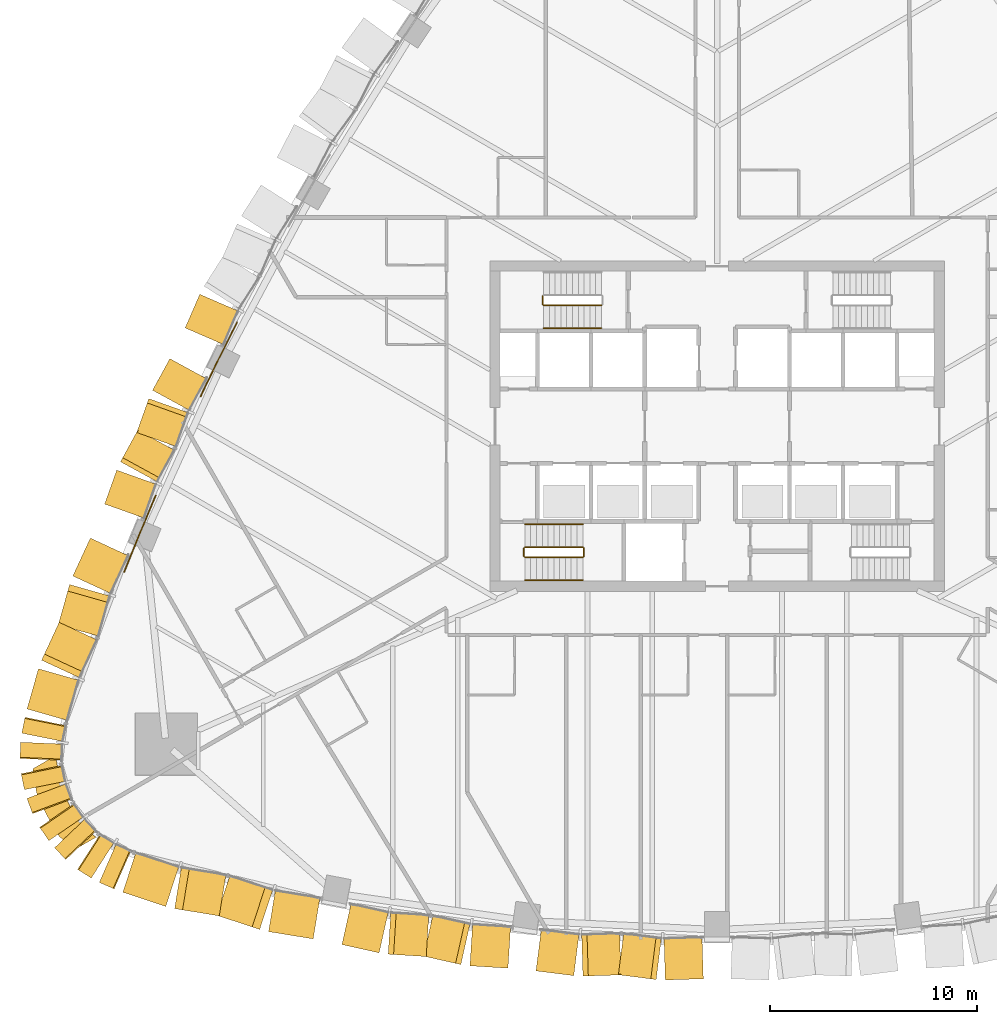
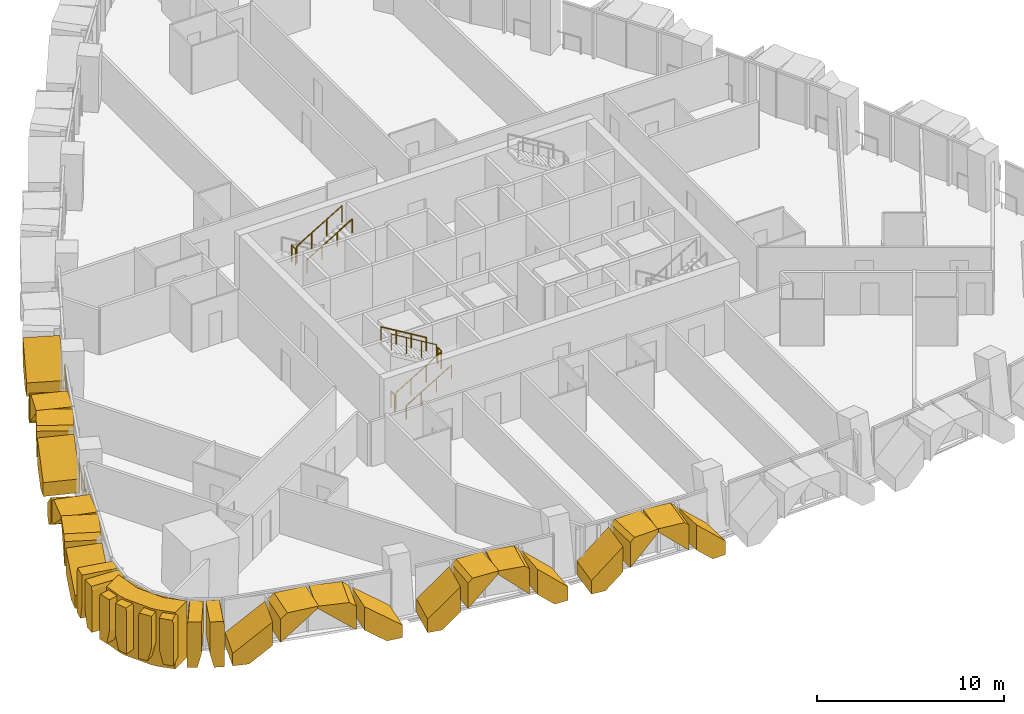
# One storey, part 18 of 22: 30 coverings, 11 railings.
"""IFC4 building model written with IfcOpenShell, lengths in metres."""

import ifcopenshell
import ifcopenshell.guid

model = None  # the IFC model being written
_history = None  # IfcOwnerHistory: only IFC2X3 demands one
_inside = {}  # id of a spatial element -> (the spatial element, [elements in it])
_under = {}  # id of a project, library or spatial element -> (it, [spatial elements below it])
_declared = {}  # id of a project -> (the project, [libraries it declares])
_typed = {}  # id of a type object -> (the type object, [elements of that type])
_made_of = {}  # id of a material, layer set ... -> (it, [elements and type objects made of it])


def new_model(schema):
    """Start an empty IFC model of exactly this schema.

    Asked for "IFC4X3", IfcOpenShell would pick the latest addendum, in which some entities
    have other attributes; the version numbers below select the first issue.
    IFC2X3 requires an IfcOwnerHistory on every rooted entity: one is made here for all.
    """
    global model, _history
    if schema == "IFC4X3":
        model = ifcopenshell.file(schema_version=(4, 3, 0, 0))
    else:
        model = ifcopenshell.file(schema=schema)
    _inside.clear()
    _under.clear()
    _declared.clear()
    _typed.clear()
    _made_of.clear()
    _history = None
    if model.schema == "IFC2X3":
        org = make("IfcOrganization", Name="unknown")
        user = make(
            "IfcPersonAndOrganization",
            ThePerson=make("IfcPerson", FamilyName="unknown"),
            TheOrganization=org,
        )
        app = make(
            "IfcApplication",
            ApplicationDeveloper=org,
            Version="unknown",
            ApplicationFullName="unknown",
            ApplicationIdentifier="unknown",
        )
        _history = make(
            "IfcOwnerHistory",
            OwningUser=user,
            OwningApplication=app,
            ChangeAction="ADDED",
            CreationDate=0,
        )
    return model


def make(cls, **values):
    """One entity of the class cls with the attributes given. An attribute that is None is left unset."""
    return model.create_entity(
        cls, **{name: value for name, value in values.items() if value is not None}
    )


def rooted(cls, **values):
    """An entity with a GlobalId (a new one), such as an element, a storey or a relation."""
    return make(cls, GlobalId=ifcopenshell.guid.new(), OwnerHistory=_history, **values)


def si_unit(unit_type, name, prefix=None):
    """IfcSIUnit, for example si_unit("LENGTHUNIT", "METRE", prefix="MILLI")."""
    return make("IfcSIUnit", UnitType=unit_type, Prefix=prefix, Name=name)


def assignment(units):
    """IfcUnitAssignment: the units of a project."""
    return None if units is None else make("IfcUnitAssignment", Units=units)


def point(xyz):
    """IfcCartesianPoint."""
    return None if xyz is None else make("IfcCartesianPoint", Coordinates=xyz)


def direction(xyz):
    """IfcDirection."""
    return None if xyz is None else make("IfcDirection", DirectionRatios=xyz)


def frame(location, z_axis=None, x_axis=None):
    """IfcAxis2Placement3D, a coordinate frame: its origin and axes. An axis left out is left unset."""
    return make(
        "IfcAxis2Placement3D",
        Location=point(location),
        Axis=direction(z_axis),
        RefDirection=direction(x_axis),
    )


def frame_2d(location, x_axis=None):
    """IfcAxis2Placement2D, a coordinate frame in the plane: its origin and x axis."""
    return make(
        "IfcAxis2Placement2D", Location=point(location), RefDirection=direction(x_axis)
    )


def origin():
    """The frame at (0, 0, 0) with its axes left unset."""
    return frame((0.0, 0.0, 0.0))


def origin_2d():
    """The frame at (0, 0) in the plane with its x axis left unset."""
    return frame_2d((0.0, 0.0))


def place(relative_to, where):
    """IfcLocalPlacement: puts the frame where relative to a parent placement (None: the world)."""
    return make(
        "IfcLocalPlacement", PlacementRelTo=relative_to, RelativePlacement=where
    )


def context(
    kind, dimensions, precision=None, world=None, true_north=None, identifier=None
):
    """IfcGeometricRepresentationContext, for example the 3D "Model" context."""
    return make(
        "IfcGeometricRepresentationContext",
        ContextIdentifier=identifier,
        ContextType=kind,
        CoordinateSpaceDimension=dimensions,
        Precision=precision,
        WorldCoordinateSystem=world,
        TrueNorth=true_north,
    )


def subcontext(parent, identifier, kind, view, scale=None):
    """IfcGeometricRepresentationSubContext, for example "Body" below "Model"."""
    return make(
        "IfcGeometricRepresentationSubContext",
        ContextIdentifier=identifier,
        ContextType=kind,
        ParentContext=parent,
        TargetScale=scale,
        TargetView=view,
    )


def project(units=None, contexts=None):
    """IfcProject with its units and contexts."""
    return rooted(
        "IfcProject",
        Name="project",
        RepresentationContexts=contexts,
        UnitsInContext=assignment(units),
    )


def spatial(cls, under=None, at=None, **own):
    """A site, building, storey or space (cls), placed at a placement, below another one or the project."""
    s = rooted(cls, ObjectPlacement=at, **own)
    if under is not None:
        _under.setdefault(under.id(), (under, []))[1].append(s)
    return s


def polyline(points):
    """IfcPolyline through the points."""
    return make("IfcPolyline", Points=[point(p) for p in points])


def profile(cls, at=None, kind="AREA", **sizes):
    """A parametric profile (cls). Its sizes go by their IFC names, for example OverallWidth=200.0."""
    return make(cls, ProfileType=kind, Position=at, **sizes)


def circle(**sizes):
    """IfcCircleProfileDef."""
    return profile("IfcCircleProfileDef", **sizes)


def outline(outer, holes=None, kind="AREA"):
    """IfcArbitraryClosedProfileDef: a profile drawn as a closed curve; with holes, ...WithVoids."""
    if holes is None:
        return make("IfcArbitraryClosedProfileDef", ProfileType=kind, OuterCurve=outer)
    return make(
        "IfcArbitraryProfileDefWithVoids",
        ProfileType=kind,
        OuterCurve=outer,
        InnerCurves=holes,
    )


def extrude(swept, where, along, depth):
    """IfcExtrudedAreaSolid: the profile swept, set in the frame where, extruded along a direction by depth."""
    return make(
        "IfcExtrudedAreaSolid",
        SweptArea=swept,
        Position=where,
        ExtrudedDirection=direction(along),
        Depth=depth,
    )


def shape(context_of_items, identifier, shape_type, items):
    """IfcShapeRepresentation: the items that make up one representation, for example the "Body"."""
    return make(
        "IfcShapeRepresentation",
        ContextOfItems=context_of_items,
        RepresentationIdentifier=identifier,
        RepresentationType=shape_type,
        Items=items,
    )


def material(Name=None, Category=None):
    """IfcMaterial."""
    return make("IfcMaterial", Name=Name, Category=Category)


def layer(
    of_material, thickness, ventilated=None, Name=None, Category=None, Priority=None
):
    """IfcMaterialLayer: one layer of a wall or slab, of a material (None: an air gap)."""
    return make(
        "IfcMaterialLayer",
        Material=of_material,
        LayerThickness=thickness,
        IsVentilated=ventilated,
        Name=Name,
        Category=Category,
        Priority=Priority,
    )


def layer_set(layers, Name=None):
    """IfcMaterialLayerSet."""
    return make("IfcMaterialLayerSet", MaterialLayers=layers, LayerSetName=Name)


def made_of(thing, what):
    """Note that an element or type object is made of a material, layer set ...; save() writes the relation."""
    if what is not None:
        _made_of.setdefault(what.id(), (what, []))[1].append(thing)
    return thing


def type_object(cls, material=None, **own):
    """A type object (cls), such as IfcWallType, which elements share."""
    return made_of(rooted(cls, **own), material)


def element(
    cls,
    number,
    at=None,
    inside=None,
    cuts=None,
    type_object=None,
    material=None,
    context=None,
    identifier="Body",
    shape_type=None,
    held_by="IfcProductDefinitionShape",
    body=None,
    shapes=None,
    **own,
):
    """One element of the class cls, such as IfcWall. Its Tag is "e" and its number.

    at: its placement. inside: the storey or other place that contains it. cuts: it is an
    opening in that element (IfcRelVoidsElement). A single representation is given by context,
    identifier, shape_type and body (its items); several are given by shapes. held_by: the class
    of the entity that holds the representations. save() writes the other relations.
    """
    e = rooted(cls, Tag="e%d" % number, ObjectPlacement=at, **own)
    if body is not None:
        shapes = [shape(context, identifier, shape_type, body)]
    if shapes is not None:
        e.Representation = make(held_by, Representations=shapes)
    if inside is not None:
        _inside.setdefault(inside.id(), (inside, []))[1].append(e)
    if cuts is not None:
        rooted(
            "IfcRelVoidsElement", RelatingBuildingElement=cuts, RelatedOpeningElement=e
        )
    if type_object is not None:
        _typed.setdefault(type_object.id(), (type_object, []))[1].append(e)
    return made_of(e, material)


def aggregate(whole, parts):
    """IfcRelAggregates: a whole, such as a stair, and the parts it consists of."""
    return rooted("IfcRelAggregates", RelatingObject=whole, RelatedObjects=parts)


def save(model, path):
    """Write the relations noted so far, then the file.

    IfcRelAggregates (storeys below a building ...), IfcRelContainedInSpatialStructure (elements
    in a storey), IfcRelDefinesByType, IfcRelAssociatesMaterial and IfcRelDeclares: one each for
    every whole, place, type object, material and project.
    """
    for whole, parts in _under.values():
        aggregate(whole, parts)
    for where, things in _inside.values():
        rooted(
            "IfcRelContainedInSpatialStructure",
            RelatedElements=things,
            RelatingStructure=where,
        )
    for kind, things in _typed.values():
        rooted("IfcRelDefinesByType", RelatedObjects=things, RelatingType=kind)
    for what, things in _made_of.values():
        rooted("IfcRelAssociatesMaterial", RelatedObjects=things, RelatingMaterial=what)
    for by, libraries in _declared.values():
        rooted("IfcRelDeclares", RelatingContext=by, RelatedDefinitions=libraries)
    model.write(path)


model = new_model("IFC4")

# Units and contexts
model_context = context("Model", 3, precision=1e-05, world=origin(), true_north=direction((0.0, 1.0)))
body_context = subcontext(model_context, "Body", "Model", "MODEL_VIEW")
ifc_project = project(units=[si_unit("LENGTHUNIT", "METRE"), si_unit("AREAUNIT", "SQUARE_METRE"), si_unit("VOLUMEUNIT", "CUBIC_METRE"), si_unit("PLANEANGLEUNIT", "RADIAN"), si_unit("MASSUNIT", "GRAM", prefix="KILO")], contexts=[model_context])

# Site, building, storey
site_placement = place(None, origin())
site = spatial("IfcSite", under=ifc_project, at=site_placement, CompositionType="ELEMENT")
building_placement = place(site_placement, origin())
building = spatial("IfcBuilding", under=site, at=building_placement, Name="Sierra Prisma Convention Tower", CompositionType="ELEMENT")
storey_placement = place(building_placement, frame((0.0, 0.0, 66.5)))
storey = spatial("IfcBuildingStorey", under=building, at=storey_placement, Name="L12", CompositionType="ELEMENT", Elevation=66.5)

# Coverings
ifc_material_1 = material(Name="Aluminium composite bronze anodised", Category="aluminium")
ifc_layer_1 = layer(ifc_material_1, 1.199951171875)
ifc_layer_set_1 = layer_set([ifc_layer_1], Name="Bronze corner pier")
covering_type_1 = type_object("IfcCoveringType", Name="Bronze corner pier", PredefinedType="CLADDING", material=ifc_layer_set_1)
covering_1_placement = place(storey_placement, frame((0.0, 0.0, -0.60009765625)))
element("IfcCovering", 1, at=covering_1_placement, inside=storey, type_object=covering_type_1, Name="Corner pier SW L12.1", PredefinedType="CLADDING", context=body_context, shape_type="SweptSolid", body=[
    extrude(outline(polyline([(-31.834716796875, -19.85302734375), (-32.062744140625, -19.5458984375), (-32.822021484375, -18.0830078125), (-32.94189453125, -17.719970703125), (-33.123779296875, -16.583740234375), (-32.011474609375, -15.94140625), (-31.757080078125, -17.5302734375), (-30.997802734375, -18.9931640625), (-30.066650390625, -19.8994140625), (-31.146484375, -20.522705078125), (-31.834716796875, -19.85302734375)])), origin(), (0.0, 0.0, 1.0), 3.7001953125),
])
ifc_material_2 = material(Name="Aluminium 6063-T6 bronze anodised", Category="aluminium")
ifc_layer_2 = layer(ifc_material_2, 2.0)
ifc_layer_set_2 = layer_set([ifc_layer_2], Name="Bronze crystal chevron frame")
covering_type_2 = type_object("IfcCoveringType", Name="Bronze crystal chevron frame", PredefinedType="CLADDING", material=ifc_layer_set_2)
covering_2_placement = place(storey_placement, frame((-28.76416015625, -22.5576171875, 0.0), z_axis=(-0.313494627853, -0.949589972656, -4.624123e-05), x_axis=(0.949589973672, -0.313494628188, -5.587e-09)))
element("IfcCovering", 2, at=covering_2_placement, inside=storey, type_object=covering_type_2, Name="CW-2 chevron frame S1.1.1", PredefinedType="CLADDING", context=body_context, shape_type="SweptSolid", body=[
    extrude(outline(polyline([(0.0, 0.0), (0.9005892255752624, 1.6940658945086007e-21), (2.188203161025573, 1.0297851695759068), (2.18820315244086, 2.5664062616830656), (-4.5610549936982705e-09, 0.8164062491271591), (0.0, 0.0)])), origin(), (0.0, 0.0, -1.0), 2.0),
])
covering_3_placement = place(storey_placement, frame((-26.255615234375, -23.34912109375, 2.67041015625), z_axis=(-0.161114038621, -0.986935794475, -6.4365629e-05), x_axis=(1.0370206e-05, 6.3524743e-05, -0.999999997929)))
element("IfcCovering", 3, at=covering_3_placement, inside=storey, type_object=covering_type_2, Name="CW-2 chevron frame S1.1.2", PredefinedType="CLADDING", context=body_context, shape_type="SweptSolid", body=[
    extrude(outline(polyline([(0.0, 0.0), (1.53662109056694, -2.603137387704378e-21), (-0.21337890709052207, 2.1880116680825483), (-0.3095703131412647, 2.1880116680825483), (-0.30957031990589945, 0.3871581336732224), (0.0, 0.0)])), origin(), (0.0, 0.0, -1.0), 2.0),
])
covering_4_placement = place(storey_placement, frame((-24.216796875, -23.672119140625, 2.97998046875), z_axis=(-0.313536643792, -0.949576097634, 8.832467e-05), x_axis=(-2.7693021e-05, -8.3870995e-05, -0.999999996099)))
element("IfcCovering", 4, at=covering_4_placement, inside=storey, type_object=covering_type_2, Name="CW-2 chevron frame S1.2.1", PredefinedType="CLADDING", context=body_context, shape_type="SweptSolid", body=[
    extrude(outline(polyline([(0.0, 0.0), (0.09619140587479354, 0.0), (1.8461914014637368, 2.187971336640772), (0.3095703137075173, 2.187971336640772), (-1.2737974074243923e-08, 1.8007147795526701), (0.0, 0.0)])), origin(), (0.0, 0.0, -1.0), 2.0),
])
covering_5_placement = place(storey_placement, frame((-19.548828125, -24.816162109375, 0.0), z_axis=(-0.161106285248, -0.986937061597, 3.604171e-05), x_axis=(5.806546e-06, 3.5570899e-05, 0.99999999935)))
element("IfcCovering", 5, at=covering_5_placement, inside=storey, type_object=covering_type_2, Name="CW-2 chevron frame S1.2.2", PredefinedType="CLADDING", context=body_context, shape_type="SweptSolid", body=[
    extrude(outline(polyline([(0.0, 0.0), (0.8164062494697423, 0.0), (2.5664062496708087, 2.188011667858485), (1.029785156918848, 2.188011667858485), (-3.0565938999144895e-09, 0.9006677190209196), (0.0, 0.0)])), origin(), (0.0, 0.0, -1.0), 2.0),
])
covering_6_placement = place(storey_placement, frame((-18.159423828125, -25.08837890625, 0.0), z_axis=(-0.21835428884, -0.975869563232, -1.0175285e-05), x_axis=(0.975869563282, -0.218354288851, -3.2e-10)))
element("IfcCovering", 6, at=covering_6_placement, inside=storey, type_object=covering_type_2, Name="CW-2 chevron frame S2.1.1", PredefinedType="CLADDING", context=body_context, shape_type="SweptSolid", body=[
    extrude(outline(polyline([(0.0, 0.0), (0.8163234901979212, -4.235164736271502e-22), (1.8448112145944908, 0.9658203131409524), (1.844811214067146, 2.6120605474307297), (-2.8169892617736234e-10, 0.8793945312044753), (0.0, 0.0)])), origin(), (0.0, 0.0, -1.0), 2.0),
])
covering_7_placement = place(storey_placement, frame((-15.920166015625, -25.5537109375, 2.734130859375), z_axis=(-0.062981388515, -0.998014700442, -4.9022079e-05), x_axis=(3.087479e-06, 4.8924756e-05, -0.999999998798)))
element("IfcCovering", 7, at=covering_7_placement, inside=storey, type_object=covering_type_2, Name="CW-2 chevron frame S2.1.2", PredefinedType="CLADDING", context=body_context, shape_type="SweptSolid", body=[
    extrude(outline(polyline([(0.0, 0.0), (1.6462402323969072, 1.3944197176112664e-21), (-0.08642578173696933, 1.8449721730332358), (-0.2458496096704085, 1.8449721730332358), (-0.24584961400971583, 0.26200109372106223), (0.0, 0.0)])), origin(), (0.0, 0.0, -1.0), 2.0),
])
covering_8_placement = place(storey_placement, frame((-14.20166015625, -25.65234375, 2.97998046875), z_axis=(-0.218360287492, -0.975868221026, -6.152207e-06), x_axis=(1.343398e-06, 6.003743e-06, -0.999999999981)))
element("IfcCovering", 8, at=covering_8_placement, inside=storey, type_object=covering_type_2, Name="CW-2 chevron frame S2.2.1", PredefinedType="CLADDING", context=body_context, shape_type="SweptSolid", body=[
    extrude(outline(polyline([(0.0, 0.0), (0.15942382812198294, 3.375930874982044e-23), (1.8920898437234979, 1.8448112149294307), (0.2458496093796527, 1.8448112149294307), (-6.834375731759761e-11, 1.5831279955723339), (0.0, 0.0)])), origin(), (0.0, 0.0, -1.0), 2.0),
])
covering_9_placement = place(storey_placement, frame((-10.12109375, -26.23388671875, 0.0), z_axis=(-0.062958941546, -0.998016116406, 5.5443445e-05), x_axis=(3.490661e-06, 5.5333452e-05, 0.999999998463)))
element("IfcCovering", 9, at=covering_9_placement, inside=storey, type_object=covering_type_2, Name="CW-2 chevron frame S2.2.2", PredefinedType="CLADDING", context=body_context, shape_type="SweptSolid", body=[
    extrude(outline(polyline([(0.0, 0.0), (0.8793945298983814, 0.0), (2.612060545829203, 1.8449721722955066), (0.965820313984454, 1.8449721722955066), (-7.763739573789034e-09, 0.8165525340398815), (0.0, 0.0)])), origin(), (0.0, 0.0, -1.0), 2.0),
])
covering_10_placement = place(storey_placement, frame((-8.764404296875, -26.36376953125, 0.0), z_axis=(-0.125235705145, -0.992127016208, -4.3201949e-05), x_axis=(0.992127017134, -0.125235705262, -5.783e-09)))
element("IfcCovering", 10, at=covering_10_placement, inside=storey, type_object=covering_type_2, Name="CW-2 chevron frame S3.1.1", PredefinedType="CLADDING", context=body_context, shape_type="SweptSolid", body=[
    extrude(outline(polyline([(0.0, 0.0), (0.8157347623533355, 0.0), (1.8418990336574765, 0.9650879021775907), (1.8418990241299733, 2.6125488381401727), (-5.089900618780225e-09, 0.8801269523036617), (0.0, 0.0)])), origin(), (0.0, 0.0, -1.0), 2.0),
])
covering_11_placement = place(storey_placement, frame((-6.494140625, -26.615478515625, 2.73486328125), z_axis=(0.031409418613, -0.999506600932, 5.5824783e-05), x_axis=(1.753424e-06, -5.5797239e-05, -0.999999998442)))
element("IfcCovering", 11, at=covering_11_placement, inside=storey, type_object=covering_type_2, Name="CW-2 chevron frame S3.1.2", PredefinedType="CLADDING", context=body_context, shape_type="SweptSolid", body=[
    extrude(outline(polyline([(0.0, 0.0), (1.6474609349329212, 0.0), (-0.08496093813149837, 1.8417294470192263), (-0.2451171878819424, 1.8417294470192263), (-0.24511719351521208, 0.2606302405005819), (0.0, 0.0)])), origin(), (0.0, 0.0, -1.0), 2.0),
])
covering_12_placement = place(storey_placement, frame((-4.77734375, -26.5517578125, 2.97998046875), z_axis=(-0.125270187992, -0.992122663215, 3.3695027e-05), x_axis=(-4.220982e-06, -3.34296e-05, -0.999999999432)))
element("IfcCovering", 12, at=covering_12_placement, inside=storey, type_object=covering_type_2, Name="CW-2 chevron frame S3.2.1", PredefinedType="CLADDING", context=body_context, shape_type="SweptSolid", body=[
    extrude(outline(polyline([(0.0, 0.0), (0.16015624990908292, -1.3565762045869654e-22), (1.8925781242039212, 1.841656822128113), (0.24511718763914753, 1.841656822128113), (-2.0522869381816094e-09, 1.5810503509021072), (0.0, 0.0)])), origin(), (0.0, 0.0, -1.0), 2.0),
])
covering_13_placement = place(storey_placement, frame((-0.666259765625, -26.74560546875, 0.0), z_axis=(0.031413973016, -0.999506459355, 2.463862e-06), x_axis=(-7.74e-08, 2.462646e-06, 0.999999999997)))
element("IfcCovering", 13, at=covering_13_placement, inside=storey, type_object=covering_type_2, Name="CW-2 chevron frame S3.2.2", PredefinedType="CLADDING", context=body_context, shape_type="SweptSolid", body=[
    extrude(outline(polyline([(0.0, 0.0), (0.8801269531223286, 0.0), (2.612548828122929, 1.8419734671941368), (0.9650878906279293, 1.8419734671941368), (-1.534401081239636e-11, 0.8158325296445423), (0.0, 0.0)])), origin(), (0.0, 0.0, -1.0), 2.0),
])
covering_14_placement = place(storey_placement, frame((-25.746337890625, 4.757080078125, 0.0), z_axis=(-0.917241778361, 0.398330916088, 3.6290638e-05), x_axis=(3.3287289e-05, -1.4455683e-05, 0.999999999341)))
element("IfcCovering", 14, at=covering_14_placement, inside=storey, type_object=covering_type_2, Name="CW-2 chevron frame NW4.2.2", PredefinedType="CLADDING", context=body_context, shape_type="SweptSolid", body=[
    extrude(outline(polyline([(0.0, 0.0), (0.895996093159982, -1.5178764240348058e-21), (2.624267577646716, 1.7742924075725535), (0.9489746099999048, 1.7742924075725535), (-3.386414473313429e-09, 0.800061189796631), (0.0, 0.0)])), origin(), (0.0, 0.0, -1.0), 2.0),
])
covering_15_placement = place(storey_placement, frame((-26.48779296875, 3.27001953125, 0.0), z_axis=(-0.877550846211, 0.479483588382, 2.8050489e-05), x_axis=(-0.479483588571, -0.877550846556, -2.574e-09)))
element("IfcCovering", 15, at=covering_15_placement, inside=storey, type_object=covering_type_2, Name="CW-2 chevron frame NW5.1.1", PredefinedType="CLADDING", context=body_context, shape_type="SweptSolid", body=[
    extrude(outline(polyline([(0.0, 0.0), (0.7926509544050213, 0.0), (1.7429512615793277, 0.9411621142315807), (1.742951257231974, 2.6301269573171164), (-2.327009334072326e-09, 0.9040527340193322), (0.0, 0.0)])), origin(), (0.0, 0.0, -1.0), 2.0),
])
covering_16_placement = place(storey_placement, frame((-27.5048828125, 1.3359375, 2.7587890625), z_axis=(-0.941771663252, 0.336253077648, 4.5470355e-05), x_axis=(-4.2822692e-05, 1.5289547e-05, -0.999999998966)))
element("IfcCovering", 16, at=covering_16_placement, inside=storey, type_object=covering_type_2, Name="CW-2 chevron frame NW5.1.2", PredefinedType="CLADDING", context=body_context, shape_type="SweptSolid", body=[
    extrude(outline(polyline([(0.0, 0.0), (1.6889648420039876, 0.0), (-0.0373535160437098, 1.7425772739537937), (-0.2211914064786625, 1.7425772739537937), (-0.22119141035078177, 0.22316774849682505), (0.0, 0.0)])), origin(), (0.0, 0.0, -1.0), 2.0),
])
covering_17_placement = place(storey_placement, frame((-28.0400390625, -0.19189453125, 2.97998046875), z_axis=(-0.877530584739, 0.479520663704, 7.6991303e-05), x_axis=(-6.7562224e-05, 3.6918921e-05, -0.999999997036)))
element("IfcCovering", 17, at=covering_17_placement, inside=storey, type_object=covering_type_2, Name="CW-2 chevron frame NW5.2.1", PredefinedType="CLADDING", context=body_context, shape_type="SweptSolid", body=[
    extrude(outline(polyline([(0.0, 0.0), (0.18383789008013568, 1.2457340025048597e-21), (1.9101562456497685, 1.7427370204647126), (0.22119140690557382, 1.7427370204647126), (-1.1101339409923792e-08, 1.5195219074185902), (0.0, 0.0)])), origin(), (0.0, 0.0, -1.0), 2.0),
])
covering_18_placement = place(storey_placement, frame((-29.64306640625, -3.76708984375, 0.0), z_axis=(-0.941779974347, 0.336229800416, 3.5076533e-05), x_axis=(3.3034377e-05, -1.1793776e-05, 0.999999999385)))
element("IfcCovering", 18, at=covering_18_placement, inside=storey, type_object=covering_type_2, Name="CW-2 chevron frame NW5.2.2", PredefinedType="CLADDING", context=body_context, shape_type="SweptSolid", body=[
    extrude(outline(polyline([(0.0, 0.0), (0.9040527338188434, 1.5315249041419307e-21), (2.6301269526649653, 1.74257727367011), (0.9411621099539855, 1.74257727367011), (-3.1903533653281432e-09, 0.7924433827711788), (0.0, 0.0)])), origin(), (0.0, 0.0, -1.0), 2.0),
])
covering_19_placement = place(storey_placement, frame((-30.335205078125, -5.414794921875, 0.0), z_axis=(-0.907588310429, 0.419861236357, 3.1252443e-05), x_axis=(-0.419861236562, -0.907588310872, -2.762e-09)))
element("IfcCovering", 19, at=covering_19_placement, inside=storey, type_object=covering_type_2, Name="CW-2 chevron frame NW6.1.1", PredefinedType="CLADDING", context=body_context, shape_type="SweptSolid", body=[
    extrude(outline(polyline([(0.0, 0.0), (0.8586808922625733, 0.0), (2.0207082951646664, 1.0017089904459622), (2.0207082907879035, 2.5861816459221734), (-2.3313514561712685e-09, 0.843994140212829), (0.0, 0.0)])), origin(), (0.0, 0.0, -1.0), 2.0),
])
covering_20_placement = place(storey_placement, frame((-31.337646484375, -7.66455078125, 2.6982421875), z_axis=(-0.962100542273, 0.272694969692, 7.902727e-06), x_axis=(-7.603218e-06, 2.155034e-06, -0.999999999969)))
element("IfcCovering", 20, at=covering_20_placement, inside=storey, type_object=covering_type_2, Name="CW-2 chevron frame NW6.1.2", PredefinedType="CLADDING", context=body_context, shape_type="SweptSolid", body=[
    extrude(outline(polyline([(0.0, 0.0), (1.5844726562005222, 0.0), (-0.15771484376267053, 2.0206736242612617), (-0.2817382812587977, 2.0206736242612617), (-0.28173828136549856, 0.326835733014443), (0.0, 0.0)])), origin(), (0.0, 0.0, -1.0), 2.0),
])
covering_21_placement = place(storey_placement, frame((-31.845458984375, -9.4921875, 2.97998046875), z_axis=(-0.907547356456, 0.41994975319, -2.4207041e-05), x_axis=(2.1969036e-05, -1.0165741e-05, -0.999999999707)))
element("IfcCovering", 21, at=covering_21_placement, inside=storey, type_object=covering_type_2, Name="CW-2 chevron frame NW6.2.1", PredefinedType="CLADDING", context=body_context, shape_type="SweptSolid", body=[
    extrude(outline(polyline([(0.0, 0.0), (0.12402343746366232, 2.1010387558846903e-22), (1.8662109371183113, 2.020810812062645), (0.2817382813325466, 2.020810812062645), (-1.001145964554421e-09, 1.693984200788563), (0.0, 0.0)])), origin(), (0.0, 0.0, -1.0), 2.0),
])
covering_22_placement = place(storey_placement, frame((-33.399169921875, -13.686279296875, 0.0), z_axis=(-0.962075180693, 0.272784431776, -2.1802745e-05), x_axis=(-2.097588e-05, 5.947449e-06, 0.999999999762)))
element("IfcCovering", 22, at=covering_22_placement, inside=storey, type_object=covering_type_2, Name="CW-2 chevron frame NW6.2.2", PredefinedType="CLADDING", context=body_context, shape_type="SweptSolid", body=[
    extrude(outline(polyline([(0.0, 0.0), (0.8439941404243997, 0.0), (2.586181640486489, 2.020975094715819), (1.001708984613086, 2.020975094715819), (-1.1543952005299037e-09, 0.8590081889616012), (0.0, 0.0)])), origin(), (0.0, 0.0, -1.0), 2.0),
])
covering_23_placement = place(storey_placement, frame((-33.49609375, -14.086181640625, 0.0), z_axis=(-0.980087831377, 0.198564453138, -2.714778e-05), x_axis=(-0.198564453211, -0.980087831738, 2.085e-09)))
element("IfcCovering", 23, at=covering_23_placement, inside=storey, type_object=covering_type_2, Name="CW-2 chevron frame SW1.1.1", PredefinedType="CLADDING", context=body_context, shape_type="SweptSolid", body=[
    extrude(outline(polyline([(0.0, 0.0), (0.5579943859499643, 0.0), (0.7856639928731642, 0.9257812480464985), (0.7856639971553475, 2.979980466039524), (0.05558925214109373, 2.9799804728659134), (5.740792510332331e-09, 2.753906248985183), (0.0, 0.0)])), origin(), (0.0, 0.0, -1.0), 2.0),
])
covering_24_placement = place(storey_placement, frame((-33.705810546875, -15.29638671875, 2.97998046875), z_axis=(-0.999080653931, 0.042870116395, 7.777762e-06), x_axis=(-7.770612e-06, 3.33434e-07, -0.99999999997)))
element("IfcCovering", 24, at=covering_24_placement, inside=storey, type_object=covering_type_2, Name="CW-2 chevron frame SW1.1.2", PredefinedType="CLADDING", context=body_context, shape_type="SweptSolid", body=[
    extrude(outline(polyline([(0.0, 0.0), (2.054199218687867, 1.0874840115658086e-22), (2.9799804685941784, 0.2279924450200061), (2.97998046866525, 0.785878774219463), (0.226074218748547, 0.785878774219463), (-4.055679241848917e-10, 0.7301612228847001), (0.0, 0.0)])), origin(), (0.0, 0.0, -1.0), 2.0),
])
covering_25_placement = place(storey_placement, frame((-33.68115234375, -16.8203125, 0.0), z_axis=(-0.980031258868, -0.198843485257, 3.39499e-06), x_axis=(0.198843485258, -0.980031258874, -7.06e-10)))
element("IfcCovering", 25, at=covering_25_placement, inside=storey, type_object=covering_type_2, Name="CW-2 chevron frame SW2.1.1", PredefinedType="CLADDING", context=body_context, shape_type="SweptSolid", body=[
    extrude(outline(polyline([(0.0, 0.0), (0.5579943755335031, 5.293955920339377e-23), (0.78571250448668, 0.9257812506053691), (0.7857125030366335, 2.9799804693435314), (0.055780017140693534, 2.979980468407892), (-1.9439651304827536e-09, 2.75390624998413), (0.0, 0.0)])), origin(), (0.0, 0.0, -1.0), 2.0),
])
covering_26_placement = place(storey_placement, frame((-33.40283203125, -18.016845703125, 2.97998046875), z_axis=(-0.936897160641, -0.349605075556, 3.9098754e-05), x_axis=(-3.6631512e-05, -1.3669123e-05, -0.999999999236)))
element("IfcCovering", 26, at=covering_26_placement, inside=storey, type_object=covering_type_2, Name="CW-2 chevron frame SW2.1.2", PredefinedType="CLADDING", context=body_context, shape_type="SweptSolid", body=[
    extrude(outline(polyline([(0.0, 0.0), (2.05419921717986, 0.0), (2.9799804676784305, 0.22773910491804478), (2.979980466949485, 0.7856568974102086), (0.2260742190544506, 0.7856568974102086), (-7.165051014310699e-09, 0.7299648091483888), (0.0, 0.0)])), origin(), (0.0, 0.0, -1.0), 2.0),
])
covering_27_placement = place(storey_placement, frame((-32.78662109375, -19.41064453125, 0.0), z_axis=(-0.825201063759, -0.564839095925, 9.248444e-06), x_axis=(0.564839095949, -0.825201063794, 1.94e-10)))
element("IfcCovering", 27, at=covering_27_placement, inside=storey, type_object=covering_type_2, Name="CW-2 chevron frame SW3.1.1", PredefinedType="CLADDING", context=body_context, shape_type="SweptSolid", body=[
    extrude(outline(polyline([(0.0, 0.0), (0.5579923044888964, -4.235164736271502e-22), (0.7857938238795164, 0.9257812498141954), (0.7857938242788277, 2.9799804684763433), (0.055664561949091355, 2.979980469201475), (5.353258405900585e-10, 2.7539062498822235), (0.0, 0.0)])), origin(), (0.0, 0.0, -1.0), 2.0),
])
covering_28_placement = place(storey_placement, frame((-32.064453125, -20.404296875, 2.97998046875), z_axis=(-0.726428871916, -0.687241654767, -4.4720596e-05), x_axis=(3.2486332e-05, 3.0733856e-05, -0.999999999)))
element("IfcCovering", 28, at=covering_28_placement, inside=storey, type_object=covering_type_2, Name="CW-2 chevron frame SW3.1.2", PredefinedType="CLADDING", context=body_context, shape_type="SweptSolid", body=[
    extrude(outline(polyline([(0.0, 0.0), (2.054199216695871, 0.0), (2.9799804703283668, 0.2279609175911066), (2.9799804667492125, 0.7857835073492974), (0.22607421950302453, 0.7857835073492974), (-6.166376417989628e-09, 0.7301785991724633), (0.0, 0.0)])), origin(), (0.0, 0.0, -1.0), 2.0),
])
covering_29_placement = place(storey_placement, frame((-30.953857421875, -21.447998046875, 0.0), z_axis=(-0.539976168439, -0.841680305977, -6.90958e-06), x_axis=(0.841680305997, -0.539976168452, -8.48e-10)))
element("IfcCovering", 29, at=covering_29_placement, inside=storey, type_object=covering_type_2, Name="CW-2 chevron frame SW4.1.1", PredefinedType="CLADDING", context=body_context, shape_type="SweptSolid", body=[
    extrude(outline(polyline([(0.0, 0.0), (0.5580379640158175, 4.235164736271502e-22), (0.7857887027586631, 0.9257812507203483), (0.7857887010159081, 2.979980469421312), (0.055668866483323545, 2.9799804684751705), (-2.3363769356936553e-09, 2.753906249934261), (0.0, 0.0)])), origin(), (0.0, 0.0, -1.0), 2.0),
])
covering_30_placement = place(storey_placement, frame((-29.901611328125, -22.081787109375, 2.97998046875), z_axis=(-0.401662835594, -0.91578762076, 1.2882065e-05), x_axis=(-5.174247e-06, -1.1797236e-05, -0.999999999917)))
element("IfcCovering", 30, at=covering_30_placement, inside=storey, type_object=covering_type_2, Name="CW-2 chevron frame SW4.1.2", PredefinedType="CLADDING", context=body_context, shape_type="SweptSolid", body=[
    extrude(outline(polyline([(0.0, 0.0), (2.0541992185795555, 1.7399744185052937e-21), (2.9799804684984417, 0.22793505350945456), (2.9799804685384497, 0.7859111212621146), (0.2260742187669515, 0.7859111212621146), (-9.233011153019309e-10, 0.7301609763323381), (0.0, 0.0)])), origin(), (0.0, 0.0, -1.0), 2.0),
])

# Railings
ifc_material_3 = material(Name="Stainless steel", Category="steel")
railing_type_1 = type_object("IfcRailingType", Name="Exit stair handrail", PredefinedType="HANDRAIL", material=ifc_material_3)
railing_1_placement = place(storey_placement, frame((-9.300048828125, -7.449951171875, 0.168212890625)))
element("IfcRailing", 31, at=railing_1_placement, inside=storey, type_object=railing_type_1, Name="L12 S1 stair handrail 1", PredefinedType="HANDRAIL", context=body_context, shape_type="SweptSolid", body=[
    extrude(circle(Radius=0.02392578125, at=origin_2d()), frame((0.0, 0.0, 0.8759765625), z_axis=(0.857242210791, 0.0, 0.514913383045), x_axis=(0.0, 1.0, 0.0)), (0.0, 0.0, 1.0), 3.266357421875),
    extrude(circle(Radius=0.02099609375, at=origin_2d()), origin(), (0.0, 0.0, 1.0), 0.851806640625),
    extrude(circle(Radius=0.02099609375, at=origin_2d()), frame((0.933349609375, 0.0, 0.560546875)), (0.0, 0.0, 1.0), 0.851806640625),
    extrude(circle(Radius=0.02099609375, at=origin_2d()), frame((1.86669921875, 0.0, 1.121337890625)), (0.0, 0.0, 1.0), 0.851806640625),
    extrude(circle(Radius=0.02099609375, at=origin_2d()), frame((2.800048828125, 0.0, 1.681884765625)), (0.0, 0.0, 1.0), 0.851806640625),
])
railing_2_placement = place(storey_placement, frame((-6.5, -4.75, 2.01806640625)))
element("IfcRailing", 32, at=railing_2_placement, inside=storey, type_object=railing_type_1, Name="L12 S1 stair handrail 2", PredefinedType="HANDRAIL", context=body_context, shape_type="SweptSolid", body=[
    extrude(circle(Radius=0.02392578125, at=origin_2d()), frame((0.0, 0.0, 0.8759765625), z_axis=(-0.857242210791, 0.0, 0.514913383045), x_axis=(0.0, -1.0, 0.0)), (0.0, 0.0, 1.0), 3.266357421875),
    extrude(circle(Radius=0.02099609375, at=origin_2d()), origin(), (0.0, 0.0, 1.0), 0.851806640625),
    extrude(circle(Radius=0.02099609375, at=origin_2d()), frame((-0.933349609375, 0.0, 0.560546875)), (0.0, 0.0, 1.0), 0.851806640625),
    extrude(circle(Radius=0.02099609375, at=origin_2d()), frame((-1.86669921875, 0.0, 1.121337890625)), (0.0, 0.0, 1.0), 0.851806640625),
    extrude(circle(Radius=0.02099609375, at=origin_2d()), frame((-2.800048828125, 0.0, 1.681884765625)), (0.0, 0.0, 1.0), 0.851806640625),
])
railing_3_placement = place(storey_placement, frame((-8.39990234375, 4.75, 2.01806640625)))
element("IfcRailing", 33, at=railing_3_placement, inside=storey, type_object=railing_type_1, Name="L12 S3 stair handrail 2", PredefinedType="HANDRAIL", context=body_context, shape_type="SweptSolid", body=[
    extrude(circle(Radius=0.02392578125, at=origin_2d()), frame((0.0, 0.0, 0.8759765625), z_axis=(0.857222391501, 0.0, 0.514946377315), x_axis=(0.0, 1.0, 0.0)), (0.0, 0.0, 1.0), 3.26611328125),
    extrude(circle(Radius=0.02099609375, at=origin_2d()), origin(), (0.0, 0.0, 1.0), 0.851806640625),
    extrude(circle(Radius=0.02099609375, at=origin_2d()), frame((0.933349609375, 0.0, 0.560546875)), (0.0, 0.0, 1.0), 0.851806640625),
    extrude(circle(Radius=0.02099609375, at=origin_2d()), frame((1.866455078125, 0.0, 1.121337890625)), (0.0, 0.0, 1.0), 0.851806640625),
    extrude(circle(Radius=0.02099609375, at=origin_2d()), frame((2.7998046875, 0.0, 1.681884765625)), (0.0, 0.0, 1.0), 0.851806640625),
])
ifc_material_4 = material(Name="Bronze anodised aluminium", Category="aluminium")
railing_type_2 = type_object("IfcRailingType", Name="Facade guard 1100", PredefinedType="GUARDRAIL", material=ifc_material_4)
railing_4_placement = place(storey_placement, frame((-23.23779296875, 5.022705078125, 0.0)))
element("IfcRailing", 34, at=railing_4_placement, inside=storey, type_object=railing_type_2, Name="Facade guard", PredefinedType="GUARDRAIL", context=body_context, shape_type="SweptSolid", body=[
    extrude(circle(Radius=0.02392578125, at=origin_2d()), frame((0.0, 0.0, 1.076171875), z_axis=(-0.449653043051, -0.893203303216, 0.0), x_axis=(0.893203303216, -0.449653043051, 0.0)), (0.0, 0.0, 1.0), 1.0),
    extrude(circle(Radius=0.02392578125, at=origin_2d()), frame((-0.44970703125, -0.893310546875, 1.076171875), z_axis=(-0.446132925371, -0.894966710498, 0.0), x_axis=(0.894966710498, -0.446132925371, 0.0)), (0.0, 0.0, 1.0), 0.994384765625),
    extrude(circle(Radius=0.02392578125, at=origin_2d()), frame((-0.893310546875, -1.783203125, 1.076171875), z_axis=(-0.437423040912, -0.899255849733, 0.0), x_axis=(0.899255849733, -0.437423040912, 0.0)), (0.0, 0.0, 1.0), 1.000244140625),
    extrude(circle(Radius=0.02392578125, at=origin_2d()), frame((-1.330810546875, -2.6826171875, 1.076171875), z_axis=(-0.43301833784, -0.901385111422, 0.0), x_axis=(0.901385111422, -0.43301833784, 0.0)), (0.0, 0.0, 1.0), 0.99462890625),
    extrude(circle(Radius=0.02099609375, at=origin_2d()), origin(), (0.0, 0.0, 1.0), 1.052001953125),
    extrude(circle(Radius=0.02099609375, at=origin_2d()), frame((-0.44970703125, -0.893310546875, 0.0)), (0.0, 0.0, 1.0), 1.052001953125),
    extrude(circle(Radius=0.02099609375, at=origin_2d()), frame((-0.893310546875, -1.783203125, 0.0)), (0.0, 0.0, 1.0), 1.052001953125),
    extrude(circle(Radius=0.02099609375, at=origin_2d()), frame((-1.330810546875, -2.6826171875, 0.0)), (0.0, 0.0, 1.0), 1.052001953125),
    extrude(circle(Radius=0.02099609375, at=origin_2d()), frame((-1.761474609375, -3.5791015625, 0.0)), (0.0, 0.0, 1.0), 1.052001953125),
])
railing_5_placement = place(storey_placement, frame((-27.171630859375, -3.36181640625, 0.0)))
element("IfcRailing", 35, at=railing_5_placement, inside=storey, type_object=railing_type_2, Name="Facade guard", PredefinedType="GUARDRAIL", context=body_context, shape_type="SweptSolid", body=[
    extrude(circle(Radius=0.02392578125, at=origin_2d()), frame((0.0, 0.0, 1.076171875), z_axis=(-0.389648000417, -0.920963862359, 0.0), x_axis=(0.920963862359, -0.389648000417, 0.0)), (0.0, 0.0, 1.0), 0.994384765625),
    extrude(circle(Radius=0.02392578125, at=origin_2d()), frame((-0.387451171875, -0.915771484375, 1.076171875), z_axis=(-0.38695438, -0.922098860101, 0.0), x_axis=(0.922098860101, -0.38695438, 0.0)), (0.0, 0.0, 1.0), 1.0),
    extrude(circle(Radius=0.02392578125, at=origin_2d()), frame((-0.7744140625, -1.837890625, 1.076171875), z_axis=(-0.37612678637, -0.92656820611, 0.0), x_axis=(0.92656820611, -0.37612678637, 0.0)), (0.0, 0.0, 1.0), 0.994384765625),
    extrude(circle(Radius=0.02392578125, at=origin_2d()), frame((-1.1484375, -2.75927734375, 1.076171875), z_axis=(-0.374168240023, -0.927360840319, 0.0), x_axis=(0.927360840319, -0.374168240023, 0.0)), (0.0, 0.0, 1.0), 0.99951171875),
    extrude(circle(Radius=0.02099609375, at=origin_2d()), origin(), (0.0, 0.0, 1.0), 1.052001953125),
    extrude(circle(Radius=0.02099609375, at=origin_2d()), frame((-0.387451171875, -0.915771484375, 0.0)), (0.0, 0.0, 1.0), 1.052001953125),
    extrude(circle(Radius=0.02099609375, at=origin_2d()), frame((-0.7744140625, -1.837890625, 0.0)), (0.0, 0.0, 1.0), 1.052001953125),
    extrude(circle(Radius=0.02099609375, at=origin_2d()), frame((-1.1484375, -2.75927734375, 0.0)), (0.0, 0.0, 1.0), 1.052001953125),
    extrude(circle(Radius=0.02099609375, at=origin_2d()), frame((-1.5224609375, -3.686279296875, 0.0)), (0.0, 0.0, 1.0), 1.052001953125),
])
ifc_material_5 = material(Name="Stainless steel", Category="steel")
railing_type_3 = type_object("IfcRailingType", Name="Stair guard 1100", PredefinedType="GUARDRAIL", material=ifc_material_5)
railing_6_placement = place(storey_placement, frame((-9.300048828125, -6.35009765625, 0.168212890625)))
element("IfcRailing", 36, at=railing_6_placement, inside=storey, type_object=railing_type_3, Name="L12 S1 stair guard 1", PredefinedType="GUARDRAIL", context=body_context, shape_type="SweptSolid", body=[
    extrude(circle(Radius=0.02392578125, at=origin_2d()), frame((0.0, 0.0, 1.076171875), z_axis=(0.857242210791, 0.0, 0.514913383045), x_axis=(0.0, 1.0, 0.0)), (0.0, 0.0, 1.0), 3.266357421875),
    extrude(circle(Radius=0.02099609375, at=origin_2d()), origin(), (0.0, 0.0, 1.0), 1.052001953125),
    extrude(circle(Radius=0.02099609375, at=origin_2d()), frame((0.933349609375, 0.0, 0.560546875)), (0.0, 0.0, 1.0), 1.052001953125),
    extrude(circle(Radius=0.02099609375, at=origin_2d()), frame((1.86669921875, 0.0, 1.121337890625)), (0.0, 0.0, 1.0), 1.052001953125),
    extrude(circle(Radius=0.02099609375, at=origin_2d()), frame((2.800048828125, 0.0, 1.681884765625)), (0.0, 0.0, 1.0), 1.052001953125),
])
railing_7_placement = place(storey_placement, frame((-6.449951171875, -6.300048828125, 1.85009765625)))
element("IfcRailing", 37, at=railing_7_placement, inside=storey, type_object=railing_type_3, Name="L12 S1 stair guard 2", PredefinedType="GUARDRAIL", context=body_context, shape_type="SweptSolid", body=[
    extrude(circle(Radius=0.02392578125, at=origin_2d()), frame((0.0, 0.0, 1.076171875), z_axis=(0.0, 1.0, 0.0), x_axis=(-1.0, 0.0, 0.0)), (0.0, 0.0, 1.0), 0.400146484375),
    extrude(circle(Radius=0.02099609375, at=origin_2d()), origin(), (0.0, 0.0, 1.0), 1.052001953125),
    extrude(circle(Radius=0.02099609375, at=origin_2d()), frame((0.0, 0.400146484375, 0.0)), (0.0, 0.0, 1.0), 1.052001953125),
])
railing_8_placement = place(storey_placement, frame((-6.5, -5.85009765625, 2.01806640625)))
element("IfcRailing", 38, at=railing_8_placement, inside=storey, type_object=railing_type_3, Name="L12 S1 stair guard 3", PredefinedType="GUARDRAIL", context=body_context, shape_type="SweptSolid", body=[
    extrude(circle(Radius=0.02392578125, at=origin_2d()), frame((0.0, 0.0, 1.076171875), z_axis=(-0.857242210791, 0.0, 0.514913383045), x_axis=(0.0, -1.0, 0.0)), (0.0, 0.0, 1.0), 3.266357421875),
    extrude(circle(Radius=0.02099609375, at=origin_2d()), origin(), (0.0, 0.0, 1.0), 1.052001953125),
    extrude(circle(Radius=0.02099609375, at=origin_2d()), frame((-0.933349609375, 0.0, 0.560546875)), (0.0, 0.0, 1.0), 1.052001953125),
    extrude(circle(Radius=0.02099609375, at=origin_2d()), frame((-1.86669921875, 0.0, 1.121337890625)), (0.0, 0.0, 1.0), 1.052001953125),
    extrude(circle(Radius=0.02099609375, at=origin_2d()), frame((-2.800048828125, 0.0, 1.681884765625)), (0.0, 0.0, 1.0), 1.052001953125),
])
railing_9_placement = place(storey_placement, frame((-9.35009765625, -6.300048828125, 0.0)))
element("IfcRailing", 39, at=railing_9_placement, inside=storey, type_object=railing_type_3, Name="L12 S1 stair guard 4", PredefinedType="GUARDRAIL", context=body_context, shape_type="SweptSolid", body=[
    extrude(circle(Radius=0.02392578125, at=origin_2d()), frame((0.0, 0.0, 1.076171875), z_axis=(0.0, 1.0, 0.0), x_axis=(-1.0, 0.0, 0.0)), (0.0, 0.0, 1.0), 0.400146484375),
    extrude(circle(Radius=0.02099609375, at=origin_2d()), origin(), (0.0, 0.0, 1.0), 1.052001953125),
    extrude(circle(Radius=0.02099609375, at=origin_2d()), frame((0.0, 0.400146484375, 0.0)), (0.0, 0.0, 1.0), 1.052001953125),
])
railing_10_placement = place(storey_placement, frame((-8.449951171875, 6.300048828125, 1.85009765625)))
element("IfcRailing", 40, at=railing_10_placement, inside=storey, type_object=railing_type_3, Name="L12 S3 stair guard 2", PredefinedType="GUARDRAIL", context=body_context, shape_type="SweptSolid", body=[
    extrude(circle(Radius=0.02392578125, at=origin_2d()), frame((0.0, 0.0, 1.076171875), z_axis=(0.0, -1.0, 0.0), x_axis=(1.0, 0.0, 0.0)), (0.0, 0.0, 1.0), 0.400146484375),
    extrude(circle(Radius=0.02099609375, at=origin_2d()), origin(), (0.0, 0.0, 1.0), 1.052001953125),
    extrude(circle(Radius=0.02099609375, at=origin_2d()), frame((0.0, -0.400146484375, 0.0)), (0.0, 0.0, 1.0), 1.052001953125),
])
railing_11_placement = place(storey_placement, frame((-8.39990234375, 5.85009765625, 2.01806640625)))
element("IfcRailing", 41, at=railing_11_placement, inside=storey, type_object=railing_type_3, Name="L12 S3 stair guard 3", PredefinedType="GUARDRAIL", context=body_context, shape_type="SweptSolid", body=[
    extrude(circle(Radius=0.02392578125, at=origin_2d()), frame((0.0, 0.0, 1.076171875), z_axis=(0.857222391501, 0.0, 0.514946377315), x_axis=(0.0, 1.0, 0.0)), (0.0, 0.0, 1.0), 3.26611328125),
    extrude(circle(Radius=0.02099609375, at=origin_2d()), origin(), (0.0, 0.0, 1.0), 1.052001953125),
    extrude(circle(Radius=0.02099609375, at=origin_2d()), frame((0.933349609375, 0.0, 0.560546875)), (0.0, 0.0, 1.0), 1.052001953125),
    extrude(circle(Radius=0.02099609375, at=origin_2d()), frame((1.866455078125, 0.0, 1.121337890625)), (0.0, 0.0, 1.0), 1.052001953125),
    extrude(circle(Radius=0.02099609375, at=origin_2d()), frame((2.7998046875, 0.0, 1.681884765625)), (0.0, 0.0, 1.0), 1.052001953125),
])

save(model, "model.ifc")
